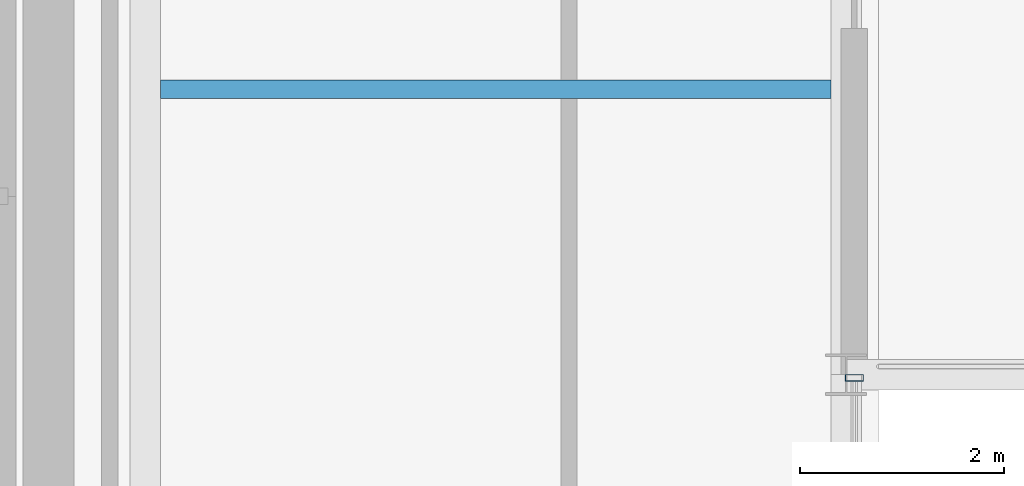
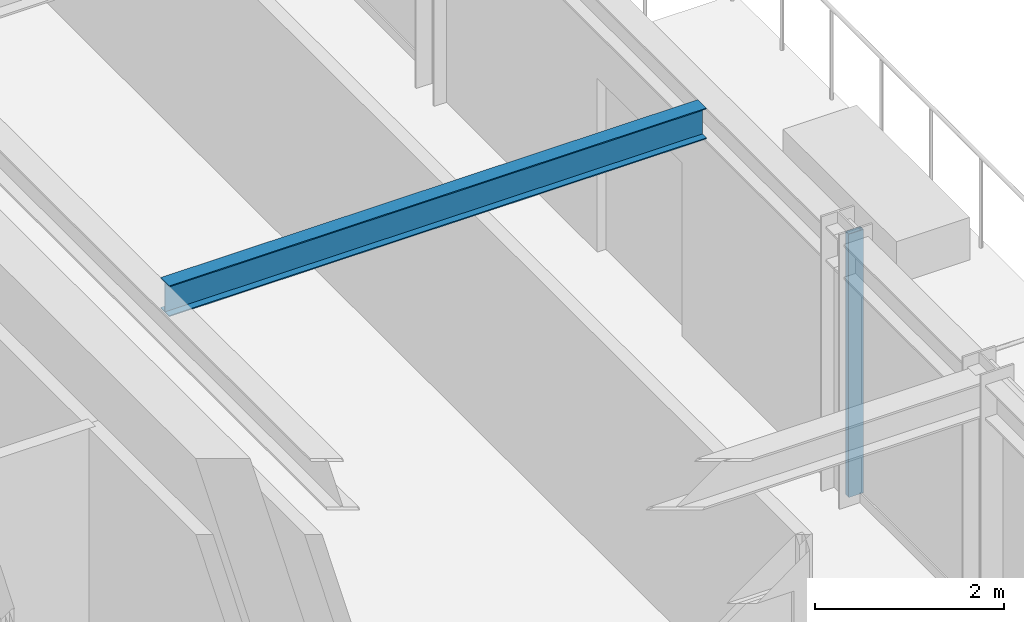
# One storey, part 24 of 36: 1 beam, 1 member, 1 element without a shape of its own.
"""IFC4 building model written with IfcOpenShell, lengths in metres."""

from ifc_helpers import new_model, si_unit, direction, frame, origin, origin_2d, place, context, subcontext, project, spatial, hollow_rectangle, i_section, extrude, source, transform, mapped, material, material_profile, profile_set, type_object, element, aggregate, save


model = new_model("IFC4")

# Units and contexts
model_context = context("Model", 3, precision=1e-05, world=origin(), true_north=direction((0.0, 1.0)))
body_context = subcontext(model_context, "Body", "Model", "MODEL_VIEW")
ifc_project = project(units=[si_unit("LENGTHUNIT", "METRE"), si_unit("AREAUNIT", "SQUARE_METRE"), si_unit("VOLUMEUNIT", "CUBIC_METRE"), si_unit("PLANEANGLEUNIT", "RADIAN"), si_unit("MASSUNIT", "GRAM", prefix="KILO")], contexts=[model_context])

# Site, building, storey
site_placement = place(None, origin())
site = spatial("IfcSite", under=ifc_project, at=site_placement, CompositionType="ELEMENT")
building_placement = place(site_placement, origin())
building = spatial("IfcBuilding", under=site, at=building_placement, Name="Nahalor Promenade Grand Hotel", CompositionType="ELEMENT")
storey_placement = place(building_placement, frame((0.0, 0.0, 253.0)))
storey = spatial("IfcBuildingStorey", under=building, at=storey_placement, Name="L65", CompositionType="ELEMENT", Elevation=253.0)

# Beam
ifc_material_1 = material(Name="Steel S355JR", Category="steel")
ifc_material_profile_1 = material_profile(ifc_material_1, i_section(OverallWidth=0.18, OverallDepth=0.4, WebThickness=0.0086, FlangeThickness=0.0135, at=origin_2d()), Name="IPE 400")
ifc_profile_set_1 = profile_set([ifc_material_profile_1], Name="Steel S355JR")
beam_type = type_object("IfcBeamType", Name="Beam-Joist-IPE400", PredefinedType="JOIST", material=ifc_profile_set_1)
shared_shape_1 = source(origin(), body_context, "Body", "SweptSolid", [
    extrude(i_section(OverallWidth=0.18, OverallDepth=0.4, WebThickness=0.0086, FlangeThickness=0.0135, at=origin_2d()), origin(), (0.0, 0.0, 1.0), 6.580078125),
])
beam_placement = place(storey_placement, frame((17.14990234375, 11.199951171875, 3.2099609375), z_axis=(1.0, 0.0, 0.0), x_axis=(0.0, 1.0, 0.0)))
element("IfcBeam", 1, at=beam_placement, inside=storey, type_object=beam_type, Name="BM-L65-JSE-1-2", PredefinedType="JOIST", context=body_context, shape_type="MappedRepresentation", body=[
    mapped(shared_shape_1, transform((0.0, 0.0, 0.0), scale=1.0)),
])

# Curtain wall, member
ifc_material_2 = material(Name="Anodised Bronze Aluminium EN AW-6063 T6", Category="aluminium")
curtain_wall_type = type_object("IfcCurtainWallType", Name="CW2 Typical Hotel Flush Bronze Unitised Curtain Wall", PredefinedType="USERDEFINED", material=ifc_material_2)
curtain_wall_placement = place(storey_placement, origin())
curtain_wall = element("IfcCurtainWall", 2, at=curtain_wall_placement, inside=storey, type_object=curtain_wall_type, Name="L65 Curtain Wall CW-L65-E-1", ObjectType="UNITISED_CURTAIN_WALL", PredefinedType="USERDEFINED")
ifc_material_profile_2 = material_profile(ifc_material_2, hollow_rectangle(XDim=0.065, YDim=0.18, WallThickness=0.004, at=origin_2d()), Name="CWM 65x180x4")
ifc_profile_set_2 = profile_set([ifc_material_profile_2], Name="Anodised Bronze Aluminium EN AW-6063 T6")
member_type = type_object("IfcMemberType", Name="CWM2 Typical Bronze Mullion 65x180", PredefinedType="MULLION", material=ifc_profile_set_2)
shared_shape_2 = source(origin(), body_context, "Body", "SweptSolid", [
    extrude(hollow_rectangle(XDim=0.065, YDim=0.18, WallThickness=0.004, at=origin_2d()), origin(), (0.0, 0.0, 1.0), 3.409912109375),
])
member_placement = place(storey_placement, frame((23.9599609375, 8.367431640625, 0.0), z_axis=(0.0, 0.0, 1.0), x_axis=(0.0, 1.0, 0.0)))
member = element("IfcMember", 3, at=member_placement, type_object=member_type, Name="CW-L65-E-1 Mullion 3", PredefinedType="MULLION", context=body_context, shape_type="MappedRepresentation", body=[
    mapped(shared_shape_2, transform((0.0, 0.0, 0.0), scale=1.0)),
])
aggregate(curtain_wall, [member])

save(model, "model.ifc")
